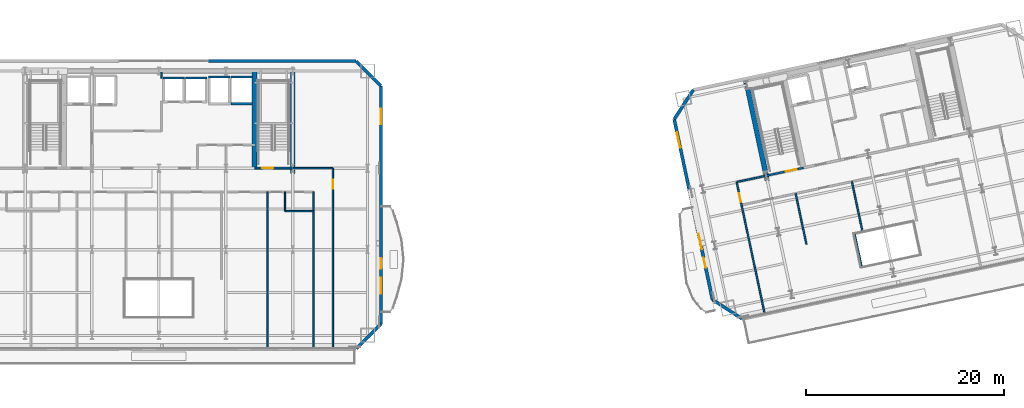
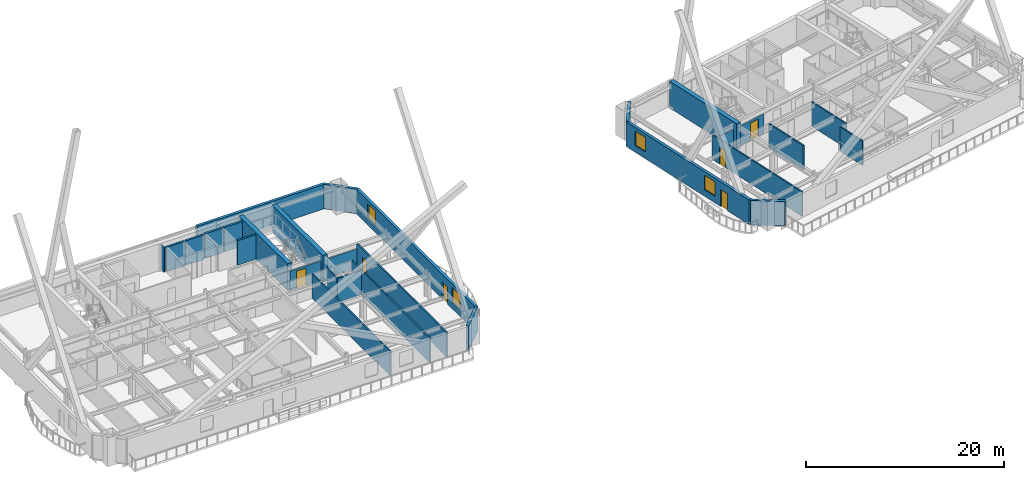
# One storey, part 13 of 22: 29 walls, 6 doors, 4 windows, 10 openings.
"""IFC4 building model written with IfcOpenShell, lengths in metres."""

import ifcopenshell
import ifcopenshell.guid

model = None  # the IFC model being written
_history = None  # IfcOwnerHistory: only IFC2X3 demands one
_inside = {}  # id of a spatial element -> (the spatial element, [elements in it])
_under = {}  # id of a project, library or spatial element -> (it, [spatial elements below it])
_declared = {}  # id of a project -> (the project, [libraries it declares])
_typed = {}  # id of a type object -> (the type object, [elements of that type])
_made_of = {}  # id of a material, layer set ... -> (it, [elements and type objects made of it])


def new_model(schema):
    """Start an empty IFC model of exactly this schema.

    Asked for "IFC4X3", IfcOpenShell would pick the latest addendum, in which some entities
    have other attributes; the version numbers below select the first issue.
    IFC2X3 requires an IfcOwnerHistory on every rooted entity: one is made here for all.
    """
    global model, _history
    if schema == "IFC4X3":
        model = ifcopenshell.file(schema_version=(4, 3, 0, 0))
    else:
        model = ifcopenshell.file(schema=schema)
    _inside.clear()
    _under.clear()
    _declared.clear()
    _typed.clear()
    _made_of.clear()
    _history = None
    if model.schema == "IFC2X3":
        org = make("IfcOrganization", Name="unknown")
        user = make(
            "IfcPersonAndOrganization",
            ThePerson=make("IfcPerson", FamilyName="unknown"),
            TheOrganization=org,
        )
        app = make(
            "IfcApplication",
            ApplicationDeveloper=org,
            Version="unknown",
            ApplicationFullName="unknown",
            ApplicationIdentifier="unknown",
        )
        _history = make(
            "IfcOwnerHistory",
            OwningUser=user,
            OwningApplication=app,
            ChangeAction="ADDED",
            CreationDate=0,
        )
    return model


def make(cls, **values):
    """One entity of the class cls with the attributes given. An attribute that is None is left unset."""
    return model.create_entity(
        cls, **{name: value for name, value in values.items() if value is not None}
    )


def rooted(cls, **values):
    """An entity with a GlobalId (a new one), such as an element, a storey or a relation."""
    return make(cls, GlobalId=ifcopenshell.guid.new(), OwnerHistory=_history, **values)


def si_unit(unit_type, name, prefix=None):
    """IfcSIUnit, for example si_unit("LENGTHUNIT", "METRE", prefix="MILLI")."""
    return make("IfcSIUnit", UnitType=unit_type, Prefix=prefix, Name=name)


def assignment(units):
    """IfcUnitAssignment: the units of a project."""
    return None if units is None else make("IfcUnitAssignment", Units=units)


def point(xyz):
    """IfcCartesianPoint."""
    return None if xyz is None else make("IfcCartesianPoint", Coordinates=xyz)


def direction(xyz):
    """IfcDirection."""
    return None if xyz is None else make("IfcDirection", DirectionRatios=xyz)


def frame(location, z_axis=None, x_axis=None):
    """IfcAxis2Placement3D, a coordinate frame: its origin and axes. An axis left out is left unset."""
    return make(
        "IfcAxis2Placement3D",
        Location=point(location),
        Axis=direction(z_axis),
        RefDirection=direction(x_axis),
    )


def frame_2d(location, x_axis=None):
    """IfcAxis2Placement2D, a coordinate frame in the plane: its origin and x axis."""
    return make(
        "IfcAxis2Placement2D", Location=point(location), RefDirection=direction(x_axis)
    )


def origin():
    """The frame at (0, 0, 0) with its axes left unset."""
    return frame((0.0, 0.0, 0.0))


def place(relative_to, where):
    """IfcLocalPlacement: puts the frame where relative to a parent placement (None: the world)."""
    return make(
        "IfcLocalPlacement", PlacementRelTo=relative_to, RelativePlacement=where
    )


def context(
    kind, dimensions, precision=None, world=None, true_north=None, identifier=None
):
    """IfcGeometricRepresentationContext, for example the 3D "Model" context."""
    return make(
        "IfcGeometricRepresentationContext",
        ContextIdentifier=identifier,
        ContextType=kind,
        CoordinateSpaceDimension=dimensions,
        Precision=precision,
        WorldCoordinateSystem=world,
        TrueNorth=true_north,
    )


def subcontext(parent, identifier, kind, view, scale=None):
    """IfcGeometricRepresentationSubContext, for example "Body" below "Model"."""
    return make(
        "IfcGeometricRepresentationSubContext",
        ContextIdentifier=identifier,
        ContextType=kind,
        ParentContext=parent,
        TargetScale=scale,
        TargetView=view,
    )


def project(units=None, contexts=None):
    """IfcProject with its units and contexts."""
    return rooted(
        "IfcProject",
        Name="project",
        RepresentationContexts=contexts,
        UnitsInContext=assignment(units),
    )


def spatial(cls, under=None, at=None, **own):
    """A site, building, storey or space (cls), placed at a placement, below another one or the project."""
    s = rooted(cls, ObjectPlacement=at, **own)
    if under is not None:
        _under.setdefault(under.id(), (under, []))[1].append(s)
    return s


def profile(cls, at=None, kind="AREA", **sizes):
    """A parametric profile (cls). Its sizes go by their IFC names, for example OverallWidth=200.0."""
    return make(cls, ProfileType=kind, Position=at, **sizes)


def rectangle(**sizes):
    """IfcRectangleProfileDef."""
    return profile("IfcRectangleProfileDef", **sizes)


def extrude(swept, where, along, depth):
    """IfcExtrudedAreaSolid: the profile swept, set in the frame where, extruded along a direction by depth."""
    return make(
        "IfcExtrudedAreaSolid",
        SweptArea=swept,
        Position=where,
        ExtrudedDirection=direction(along),
        Depth=depth,
    )


def shape(context_of_items, identifier, shape_type, items):
    """IfcShapeRepresentation: the items that make up one representation, for example the "Body"."""
    return make(
        "IfcShapeRepresentation",
        ContextOfItems=context_of_items,
        RepresentationIdentifier=identifier,
        RepresentationType=shape_type,
        Items=items,
    )


def material(Name=None, Category=None):
    """IfcMaterial."""
    return make("IfcMaterial", Name=Name, Category=Category)


def layer(
    of_material, thickness, ventilated=None, Name=None, Category=None, Priority=None
):
    """IfcMaterialLayer: one layer of a wall or slab, of a material (None: an air gap)."""
    return make(
        "IfcMaterialLayer",
        Material=of_material,
        LayerThickness=thickness,
        IsVentilated=ventilated,
        Name=Name,
        Category=Category,
        Priority=Priority,
    )


def layer_set(layers, Name=None):
    """IfcMaterialLayerSet."""
    return make("IfcMaterialLayerSet", MaterialLayers=layers, LayerSetName=Name)


def made_of(thing, what):
    """Note that an element or type object is made of a material, layer set ...; save() writes the relation."""
    if what is not None:
        _made_of.setdefault(what.id(), (what, []))[1].append(thing)
    return thing


def type_object(cls, material=None, **own):
    """A type object (cls), such as IfcWallType, which elements share."""
    return made_of(rooted(cls, **own), material)


def element(
    cls,
    number,
    at=None,
    inside=None,
    cuts=None,
    type_object=None,
    material=None,
    context=None,
    identifier="Body",
    shape_type=None,
    held_by="IfcProductDefinitionShape",
    body=None,
    shapes=None,
    **own,
):
    """One element of the class cls, such as IfcWall. Its Tag is "e" and its number.

    at: its placement. inside: the storey or other place that contains it. cuts: it is an
    opening in that element (IfcRelVoidsElement). A single representation is given by context,
    identifier, shape_type and body (its items); several are given by shapes. held_by: the class
    of the entity that holds the representations. save() writes the other relations.
    """
    e = rooted(cls, Tag="e%d" % number, ObjectPlacement=at, **own)
    if body is not None:
        shapes = [shape(context, identifier, shape_type, body)]
    if shapes is not None:
        e.Representation = make(held_by, Representations=shapes)
    if inside is not None:
        _inside.setdefault(inside.id(), (inside, []))[1].append(e)
    if cuts is not None:
        rooted(
            "IfcRelVoidsElement", RelatingBuildingElement=cuts, RelatedOpeningElement=e
        )
    if type_object is not None:
        _typed.setdefault(type_object.id(), (type_object, []))[1].append(e)
    return made_of(e, material)


def fill(opening, filler):
    """IfcRelFillsElement: the door or window that sits in an opening."""
    return rooted(
        "IfcRelFillsElement",
        RelatingOpeningElement=opening,
        RelatedBuildingElement=filler,
    )


def aggregate(whole, parts):
    """IfcRelAggregates: a whole, such as a stair, and the parts it consists of."""
    return rooted("IfcRelAggregates", RelatingObject=whole, RelatedObjects=parts)


def save(model, path):
    """Write the relations noted so far, then the file.

    IfcRelAggregates (storeys below a building ...), IfcRelContainedInSpatialStructure (elements
    in a storey), IfcRelDefinesByType, IfcRelAssociatesMaterial and IfcRelDeclares: one each for
    every whole, place, type object, material and project.
    """
    for whole, parts in _under.values():
        aggregate(whole, parts)
    for where, things in _inside.values():
        rooted(
            "IfcRelContainedInSpatialStructure",
            RelatedElements=things,
            RelatingStructure=where,
        )
    for kind, things in _typed.values():
        rooted("IfcRelDefinesByType", RelatedObjects=things, RelatingType=kind)
    for what, things in _made_of.values():
        rooted("IfcRelAssociatesMaterial", RelatedObjects=things, RelatingMaterial=what)
    for by, libraries in _declared.values():
        rooted("IfcRelDeclares", RelatingContext=by, RelatedDefinitions=libraries)
    model.write(path)


model = new_model("IFC4")

# Units and contexts
model_context = context("Model", 3, precision=1e-05, world=origin(), true_north=direction((0.0, 1.0)))
body_context = subcontext(model_context, "Body", "Model", "MODEL_VIEW")
ifc_project = project(units=[si_unit("LENGTHUNIT", "METRE"), si_unit("AREAUNIT", "SQUARE_METRE"), si_unit("VOLUMEUNIT", "CUBIC_METRE"), si_unit("PLANEANGLEUNIT", "RADIAN"), si_unit("MASSUNIT", "GRAM", prefix="KILO")], contexts=[model_context])

# Site, building, storey
site_placement = place(None, origin())
site = spatial("IfcSite", under=ifc_project, at=site_placement, CompositionType="ELEMENT")
building_placement = place(site_placement, origin())
building = spatial("IfcBuilding", under=site, at=building_placement, Name="Haevon Station Towers", CompositionType="ELEMENT")
storey_placement = place(building_placement, frame((0.0, 0.0, 113.10009765625)))
storey = spatial("IfcBuildingStorey", under=building, at=storey_placement, Name="L30", CompositionType="ELEMENT", Elevation=113.10009765625)

# Wall, opening, door
ifc_material_1 = material(Name="Gypsum board on steel stud", Category="steel")
ifc_layer_1 = layer(ifc_material_1, 0.199951171875)
ifc_layer_set_1 = layer_set([ifc_layer_1], Name="Gypsum board on steel stud")
wall_type_1 = type_object("IfcWallType", Name="WL-COR200", PredefinedType="PARTITIONING", material=ifc_layer_set_1)
wall_1_placement = place(storey_placement, frame((47.14990234375, 38.199951171875, 0.0), z_axis=(0.0, 0.0, 1.0), x_axis=(1.0, 0.0, 0.0)))
wall_1 = element("IfcWall", 1, at=wall_1_placement, inside=storey, type_object=wall_type_1, Name="WL-ST-ST2-L30", PredefinedType="PARTITIONING", context=body_context, shape_type="SweptSolid", body=[
    extrude(rectangle(XDim=3.85009765625, YDim=0.199951171875, at=frame_2d((1.925048828125, 0.0))), origin(), (0.0, 0.0, 1.0), 2.3798828125),
])
opening_1_placement = place(wall_1_placement, frame((0.75, 0.0, 0.0)))
opening_1 = element("IfcOpeningElement", 2, at=opening_1_placement, cuts=wall_1, Name="Opening DR-ST-ST2-L30", PredefinedType="OPENING", context=body_context, shape_type="SweptSolid", body=[
    extrude(rectangle(XDim=1.1201171875, YDim=2.10009765625, at=frame_2d((0.56005859375, 1.050048828125))), frame((0.0, 0.10986328125, 0.0), z_axis=(0.0, -1.0, 0.0), x_axis=(1.0, 0.0, 0.0)), (0.0, 0.0, 1.0), 0.219970703125),
])
ifc_material_2 = material(Name="Engineered oak timber", Category="wood")
door_type_1 = type_object("IfcDoorType", Name="DR-ST-1120", OperationType="NOTDEFINED", PredefinedType="DOOR", material=ifc_material_2)
door_1_placement = place(opening_1_placement, origin())
door_1 = element("IfcDoor", 3, at=door_1_placement, inside=storey, type_object=door_type_1, Name="L30 Escape Stair ST2 Fire Door", OperationType="SINGLE_SWING_LEFT", OverallHeight=2.10009765625, OverallWidth=1.1201171875, PredefinedType="DOOR", context=body_context, shape_type="SweptSolid", body=[
    extrude(rectangle(XDim=1.1201171875, YDim=2.10009765625, at=frame_2d((0.56005859375, 1.050048828125))), frame((0.0, 0.02490234375, 0.0), z_axis=(0.0, -1.0, 0.0), x_axis=(1.0, 0.0, 0.0)), (0.0, 0.0, 1.0), 0.050048828125),
])
fill(opening_1, door_1)

wall_2_placement = place(storey_placement, frame((98.75244140625, 37.4423828125, 0.0), z_axis=(0.0, 0.0, 1.0), x_axis=(0.978143537786, 0.207930804564, 0.0)))
wall_2 = element("IfcWall", 4, at=wall_2_placement, inside=storey, type_object=wall_type_1, Name="WL-ST-ST3-L30", PredefinedType="PARTITIONING", context=body_context, shape_type="SweptSolid", body=[
    extrude(rectangle(XDim=3.85009765625, YDim=0.199951171875, at=frame_2d((1.925048828125, 0.0))), origin(), (0.0, 0.0, 1.0), 2.3798828125),
])
opening_2_placement = place(wall_2_placement, frame((2.0, 0.0, 0.0)))
opening_2 = element("IfcOpeningElement", 5, at=opening_2_placement, cuts=wall_2, Name="Opening DR-ST-ST3-L30", PredefinedType="OPENING", context=body_context, shape_type="SweptSolid", body=[
    extrude(rectangle(XDim=1.1201171875, YDim=2.10009765625, at=frame_2d((0.56005859375, 1.050048828125))), frame((0.0, 0.10986328125, 0.0), z_axis=(0.0, -1.0, 0.0), x_axis=(1.0, 0.0, 0.0)), (0.0, 0.0, 1.0), 0.219970703125),
])
door_2_placement = place(opening_2_placement, origin())
door_2 = element("IfcDoor", 6, at=door_2_placement, inside=storey, type_object=door_type_1, Name="L30 Escape Stair ST3 Fire Door", OperationType="SINGLE_SWING_RIGHT", OverallHeight=2.10009765625, OverallWidth=1.1201171875, PredefinedType="DOOR", context=body_context, shape_type="SweptSolid", body=[
    extrude(rectangle(XDim=1.1201171875, YDim=2.10009765625, at=frame_2d((0.56005859375, 1.050048828125))), frame((0.0, 0.02490234375, 0.0), z_axis=(0.0, -1.0, 0.0), x_axis=(1.0, 0.0, 0.0)), (0.0, 0.0, 1.0), 0.050048828125),
])
fill(opening_2, door_2)

# Walls
ifc_material_3 = material(Name="Concrete C60/75", Category="concrete")
ifc_layer_2 = layer(ifc_material_3, 0.5)
ifc_layer_set_2 = layer_set([ifc_layer_2], Name="Concrete C60/75")
wall_type_2 = type_object("IfcWallType", Name="WL-CR500", PredefinedType="SHEAR", material=ifc_layer_set_2)
wall_3_placement = place(storey_placement, frame((51.0, 37.679931640625, 0.0), z_axis=(0.0, 0.0, 1.0), x_axis=(0.0, 1.0, 0.0)))
element("IfcWall", 7, at=wall_3_placement, inside=storey, type_object=wall_type_2, Name="WL-T1CR-L30-E", PredefinedType="SHEAR", context=body_context, shape_type="SweptSolid", body=[
    extrude(rectangle(XDim=10.320068359375, YDim=0.5, at=frame_2d((5.16015625, 0.0))), origin(), (0.0, 0.0, 1.0), 3.2998046875),
])
wall_4_placement = place(storey_placement, frame((47.14990234375, 38.199951171875, 0.0), z_axis=(0.0, 0.0, 1.0), x_axis=(0.0, 1.0, 0.0)))
element("IfcWall", 8, at=wall_4_placement, inside=storey, type_object=wall_type_2, Name="WL-T1CR-L30-M2", PredefinedType="SHEAR", context=body_context, shape_type="SweptSolid", body=[
    extrude(rectangle(XDim=9.800048828125, YDim=0.5, at=frame_2d((4.89990234375, 0.0))), origin(), (0.0, 0.0, 1.0), 3.2998046875),
])
wall_5_placement = place(storey_placement, frame((98.8603515625, 36.933837890625, 0.0), z_axis=(0.0, 0.0, 1.0), x_axis=(-0.20790924889, 0.978148119778, 0.0)))
element("IfcWall", 9, at=wall_5_placement, inside=storey, type_object=wall_type_2, Name="WL-T2CR-L30-W", PredefinedType="SHEAR", context=body_context, shape_type="SweptSolid", body=[
    extrude(rectangle(XDim=10.119873046875, YDim=0.5, at=frame_2d((5.06005859375, 0.0))), origin(), (0.0, 0.0, 1.0), 3.2998046875),
])
ifc_material_4 = material(Name="Precast concrete C45/55", Category="concrete")
ifc_layer_3 = layer(ifc_material_4, 0.320068359375)
ifc_layer_set_3 = layer_set([ifc_layer_3], Name="Precast concrete C45/55")
wall_type_3 = type_object("IfcWallType", Name="WL-EXT-PIER320", PredefinedType="SOLIDWALL", material=ifc_layer_set_3)
wall_6_placement = place(storey_placement, frame((42.5, 49.0, 0.0), z_axis=(0.0, 0.0, 1.0), x_axis=(1.0, 0.0, 0.0)))
element("IfcWall", 10, at=wall_6_placement, inside=storey, type_object=wall_type_3, Name="WL-T1-L30-N2", PredefinedType="SOLIDWALL", context=body_context, shape_type="SweptSolid", body=[
    extrude(rectangle(XDim=14.89990234375, YDim=0.320068359375, at=frame_2d((7.449951171875, 0.0))), origin(), (0.0, 0.0, 1.0), 3.02978515625),
])
wall_7_placement = place(storey_placement, frame((57.39990234375, 49.0, 0.0), z_axis=(0.0, 0.0, 1.0), x_axis=(0.707106781187, -0.707106781187, 0.0)))
element("IfcWall", 11, at=wall_7_placement, inside=storey, type_object=wall_type_3, Name="WL-T1-L30-NEC", PredefinedType="SOLIDWALL", context=body_context, shape_type="SweptSolid", body=[
    extrude(rectangle(XDim=3.53564453125, YDim=0.320068359375, at=frame_2d((1.767822265625, 0.0))), origin(), (0.0, 0.0, 1.0), 3.02978515625),
])

# Wall, openings, door, windows
wall_8_placement = place(storey_placement, frame((59.89990234375, 46.5, 0.0), z_axis=(0.0, 0.0, 1.0), x_axis=(0.0, -1.0, 0.0)))
wall_8 = element("IfcWall", 12, at=wall_8_placement, inside=storey, type_object=wall_type_3, Name="WL-T1-L30-E", PredefinedType="SOLIDWALL", context=body_context, shape_type="SweptSolid", body=[
    extrude(rectangle(XDim=24.0, YDim=0.320068359375, at=frame_2d((12.0, 0.0))), origin(), (0.0, 0.0, 1.0), 3.02978515625),
])
opening_3_placement = place(wall_8_placement, frame((17.375, 0.0, 0.0)))
opening_3 = element("IfcOpeningElement", 13, at=opening_3_placement, cuts=wall_8, Name="Opening DR-T1-SCAL-L30-E", PredefinedType="OPENING", context=body_context, shape_type="SweptSolid", body=[
    extrude(rectangle(XDim=1.050048828125, YDim=2.10009765625, at=frame_2d((0.52490234375, 1.050048828125))), frame((0.0, 0.169921875, 0.0), z_axis=(0.0, -1.0, 0.0), x_axis=(1.0, 0.0, 0.0)), (0.0, 0.0, 1.0), 0.340087890625),
])
opening_4_placement = place(wall_8_placement, frame((2.28564453125, 0.0, 0.800048828125)))
opening_4 = element("IfcOpeningElement", 14, at=opening_4_placement, cuts=wall_8, Name="Opening WN-END160", PredefinedType="OPENING", context=body_context, shape_type="SweptSolid", body=[
    extrude(rectangle(XDim=1.60009765625, YDim=1.800048828125, at=frame_2d((0.800048828125, 0.89990234375))), frame((0.0, 0.169921875, 0.0), z_axis=(0.0, -1.0, 0.0), x_axis=(1.0, 0.0, 0.0)), (0.0, 0.0, 1.0), 0.340087890625),
])
opening_5_placement = place(wall_8_placement, frame((19.371337890625, 0.0, 0.800048828125)))
opening_5 = element("IfcOpeningElement", 15, at=opening_5_placement, cuts=wall_8, Name="Opening WN-END160", PredefinedType="OPENING", context=body_context, shape_type="SweptSolid", body=[
    extrude(rectangle(XDim=1.60009765625, YDim=1.800048828125, at=frame_2d((0.800048828125, 0.89990234375))), frame((0.0, 0.169921875, 0.0), z_axis=(0.0, -1.0, 0.0), x_axis=(1.0, 0.0, 0.0)), (0.0, 0.0, 1.0), 0.340087890625),
])
ifc_material_5 = material(Name="Thermally broken anodised aluminium and laminated safety glass", Category="aluminium")
door_type_2 = type_object("IfcDoorType", Name="DR-BALC-1050", OperationType="NOTDEFINED", PredefinedType="DOOR", material=ifc_material_5)
door_3_placement = place(opening_3_placement, origin())
door_3 = element("IfcDoor", 16, at=door_3_placement, inside=storey, type_object=door_type_2, Name="Tower 1 L30 East Scalloped Balcony Door", OperationType="SINGLE_SWING_RIGHT", OverallHeight=2.10009765625, OverallWidth=1.050048828125, PredefinedType="DOOR", context=body_context, shape_type="SweptSolid", body=[
    extrude(rectangle(XDim=1.050048828125, YDim=2.10009765625, at=frame_2d((0.52490234375, 1.050048828125))), frame((0.0, 0.02490234375, 0.0), z_axis=(0.0, -1.0, 0.0), x_axis=(1.0, 0.0, 0.0)), (0.0, 0.0, 1.0), 0.050048828125),
])
fill(opening_3, door_3)
ifc_material_6 = material(Name="Low-E triple glazing in thermally broken aluminium", Category="aluminium")
window_type = type_object("IfcWindowType", Name="WN-END160", PartitioningType="SINGLE_PANEL", PredefinedType="WINDOW", material=ifc_material_6)
window_1_placement = place(opening_4_placement, origin())
window_1 = element("IfcWindow", 17, at=window_1_placement, inside=storey, type_object=window_type, Name="WN-T1-L30-E01", OverallHeight=1.800048828125, OverallWidth=1.60009765625, PartitioningType="SINGLE_PANEL", PredefinedType="WINDOW", context=body_context, shape_type="SweptSolid", body=[
    extrude(rectangle(XDim=1.60009765625, YDim=1.800048828125, at=frame_2d((0.800048828125, 0.89990234375))), frame((0.0, 0.030029296875, 0.0), z_axis=(0.0, -1.0, 0.0), x_axis=(1.0, 0.0, 0.0)), (0.0, 0.0, 1.0), 0.06005859375),
])
fill(opening_4, window_1)
window_2_placement = place(opening_5_placement, origin())
window_2 = element("IfcWindow", 18, at=window_2_placement, inside=storey, type_object=window_type, Name="WN-T1-L30-E02", OverallHeight=1.800048828125, OverallWidth=1.60009765625, PartitioningType="SINGLE_PANEL", PredefinedType="WINDOW", context=body_context, shape_type="SweptSolid", body=[
    extrude(rectangle(XDim=1.60009765625, YDim=1.800048828125, at=frame_2d((0.800048828125, 0.89990234375))), frame((0.0, 0.030029296875, 0.0), z_axis=(0.0, -1.0, 0.0), x_axis=(1.0, 0.0, 0.0)), (0.0, 0.0, 1.0), 0.06005859375),
])
fill(opening_5, window_2)

# Walls
wall_9_placement = place(storey_placement, frame((59.89990234375, 22.5, 0.0), z_axis=(0.0, 0.0, 1.0), x_axis=(-0.707106781187, -0.707106781187, 0.0)))
element("IfcWall", 19, at=wall_9_placement, inside=storey, type_object=wall_type_3, Name="WL-T1-L30-SEC", PredefinedType="SOLIDWALL", context=body_context, shape_type="SweptSolid", body=[
    extrude(rectangle(XDim=3.53564453125, YDim=0.320068359375, at=frame_2d((1.767822265625, 0.0))), origin(), (0.0, 0.0, 1.0), 3.02978515625),
])
wall_10_placement = place(storey_placement, frame((96.2978515625, 23.016845703125, 0.0), z_axis=(0.0, 0.0, 1.0), x_axis=(-0.838672309694, 0.544636352948, 0.0)))
element("IfcWall", 20, at=wall_10_placement, inside=storey, type_object=wall_type_3, Name="WL-T2-L30-SWC", PredefinedType="SOLIDWALL", context=body_context, shape_type="SweptSolid", body=[
    extrude(rectangle(XDim=3.535400390625, YDim=0.320068359375, at=frame_2d((1.767578125, 0.0))), origin(), (0.0, 0.0, 1.0), 3.02978515625),
])

# Wall, openings, door, windows
wall_11_placement = place(storey_placement, frame((93.332763671875, 24.9423828125, 0.0), z_axis=(0.0, 0.0, 1.0), x_axis=(-0.207912600897, 0.97814740729, 0.0)))
wall_11 = element("IfcWall", 21, at=wall_11_placement, inside=storey, type_object=wall_type_3, Name="WL-T2-L30-W", PredefinedType="SOLIDWALL", context=body_context, shape_type="SweptSolid", body=[
    extrude(rectangle(XDim=18.60009765625, YDim=0.320068359375, at=frame_2d((9.300048828125, 0.0))), origin(), (0.0, 0.0, 1.0), 3.02978515625),
])
opening_6_placement = place(wall_11_placement, frame((3.27490234375, 0.0, 0.0)))
opening_6 = element("IfcOpeningElement", 22, at=opening_6_placement, cuts=wall_11, Name="Opening DR-T2-SCAL-L30-W", PredefinedType="OPENING", context=body_context, shape_type="SweptSolid", body=[
    extrude(rectangle(XDim=1.050048828125, YDim=2.10009765625, at=frame_2d((0.52490234375, 1.050048828125))), frame((0.0, 0.169921875, 0.0), z_axis=(0.0, -1.0, 0.0), x_axis=(1.0, 0.0, 0.0)), (0.0, 0.0, 1.0), 0.340087890625),
])
opening_7_placement = place(wall_11_placement, frame((5.199951171875, 0.0, 0.800048828125)))
opening_7 = element("IfcOpeningElement", 23, at=opening_7_placement, cuts=wall_11, Name="Opening WN-END160", PredefinedType="OPENING", context=body_context, shape_type="SweptSolid", body=[
    extrude(rectangle(XDim=1.60009765625, YDim=1.800048828125, at=frame_2d((0.800048828125, 0.89990234375))), frame((0.0, 0.169921875, 0.0), z_axis=(0.0, -1.0, 0.0), x_axis=(1.0, 0.0, 0.0)), (0.0, 0.0, 1.0), 0.340087890625),
])
opening_8_placement = place(wall_11_placement, frame((15.64990234375, 0.0, 0.800048828125)))
opening_8 = element("IfcOpeningElement", 24, at=opening_8_placement, cuts=wall_11, Name="Opening WN-END160", PredefinedType="OPENING", context=body_context, shape_type="SweptSolid", body=[
    extrude(rectangle(XDim=1.60009765625, YDim=1.800048828125, at=frame_2d((0.800048828125, 0.89990234375))), frame((0.0, 0.169921875, 0.0), z_axis=(0.0, -1.0, 0.0), x_axis=(1.0, 0.0, 0.0)), (0.0, 0.0, 1.0), 0.340087890625),
])
door_4_placement = place(opening_6_placement, origin())
door_4 = element("IfcDoor", 25, at=door_4_placement, inside=storey, type_object=door_type_2, Name="Tower 2 L30 West Scalloped Balcony Door", OperationType="SINGLE_SWING_LEFT", OverallHeight=2.10009765625, OverallWidth=1.050048828125, PredefinedType="DOOR", context=body_context, shape_type="SweptSolid", body=[
    extrude(rectangle(XDim=1.050048828125, YDim=2.10009765625, at=frame_2d((0.52490234375, 1.050048828125))), frame((0.0, 0.02490234375, 0.0), z_axis=(0.0, -1.0, 0.0), x_axis=(1.0, 0.0, 0.0)), (0.0, 0.0, 1.0), 0.050048828125),
])
fill(opening_6, door_4)
window_3_placement = place(opening_7_placement, origin())
window_3 = element("IfcWindow", 26, at=window_3_placement, inside=storey, type_object=window_type, Name="WN-T2-L30-W01", OverallHeight=1.800048828125, OverallWidth=1.60009765625, PartitioningType="SINGLE_PANEL", PredefinedType="WINDOW", context=body_context, shape_type="SweptSolid", body=[
    extrude(rectangle(XDim=1.60009765625, YDim=1.800048828125, at=frame_2d((0.800048828125, 0.89990234375))), frame((0.0, 0.030029296875, 0.0), z_axis=(0.0, -1.0, 0.0), x_axis=(1.0, 0.0, 0.0)), (0.0, 0.0, 1.0), 0.06005859375),
])
fill(opening_7, window_3)
window_4_placement = place(opening_8_placement, origin())
window_4 = element("IfcWindow", 27, at=window_4_placement, inside=storey, type_object=window_type, Name="WN-T2-L30-W02", OverallHeight=1.800048828125, OverallWidth=1.60009765625, PartitioningType="SINGLE_PANEL", PredefinedType="WINDOW", context=body_context, shape_type="SweptSolid", body=[
    extrude(rectangle(XDim=1.60009765625, YDim=1.800048828125, at=frame_2d((0.800048828125, 0.89990234375))), frame((0.0, 0.030029296875, 0.0), z_axis=(0.0, -1.0, 0.0), x_axis=(1.0, 0.0, 0.0)), (0.0, 0.0, 1.0), 0.06005859375),
])
fill(opening_8, window_4)

# Walls
wall_12_placement = place(storey_placement, frame((89.465576171875, 43.135986328125, 0.0), z_axis=(0.0, 0.0, 1.0), x_axis=(0.544684921471, 0.838640767148, 0.0)))
element("IfcWall", 28, at=wall_12_placement, inside=storey, type_object=wall_type_3, Name="WL-T2-L30-NWC", PredefinedType="SOLIDWALL", context=body_context, shape_type="SweptSolid", body=[
    extrude(rectangle(XDim=3.53564453125, YDim=0.320068359375, at=frame_2d((1.767822265625, 0.0))), origin(), (0.0, 0.0, 1.0), 3.02978515625),
])
ifc_layer_4 = layer(ifc_material_1, 0.125)
ifc_layer_set_4 = layer_set([ifc_layer_4], Name="Gypsum board on steel stud")
wall_type_4 = type_object("IfcWallType", Name="WL-PRT125", PredefinedType="PARTITIONING", material=ifc_layer_set_4)
wall_13_placement = place(storey_placement, frame((50.2216796875, 33.8701171875, 0.0), z_axis=(0.0, 0.0, 1.0), x_axis=(0.0, 1.0, 0.0)))
element("IfcWall", 29, at=wall_13_placement, inside=storey, type_object=wall_type_4, Name="WL-T1PT-L30-23", PredefinedType="PARTITIONING", context=body_context, shape_type="SweptSolid", body=[
    extrude(rectangle(XDim=1.949951171875, YDim=0.125, at=frame_2d((0.97509765625, 0.0))), origin(), (0.0, 0.0, 1.0), 3.02978515625),
])
ifc_layer_5 = layer(ifc_material_1, 0.139892578125)
ifc_layer_set_5 = layer_set([ifc_layer_5], Name="Gypsum board on steel stud")
wall_type_5 = type_object("IfcWallType", Name="WL-PRT140", PredefinedType="PARTITIONING", material=ifc_layer_set_5)
wall_14_placement = place(storey_placement, frame((50.2216796875, 33.8701171875, 0.0), z_axis=(0.0, 0.0, 1.0), x_axis=(1.0, 0.0, 0.0)))
element("IfcWall", 30, at=wall_14_placement, inside=storey, type_object=wall_type_5, Name="WL-T1PT-L30-22", PredefinedType="PARTITIONING", context=body_context, shape_type="SweptSolid", body=[
    extrude(rectangle(XDim=2.8583984375, YDim=0.139892578125, at=frame_2d((1.42919921875, 0.0))), origin(), (0.0, 0.0, 1.0), 3.02978515625),
])
ifc_layer_6 = layer(ifc_material_1, 0.159912109375)
ifc_layer_set_6 = layer_set([ifc_layer_6], Name="Gypsum board on steel stud")
wall_type_6 = type_object("IfcWallType", Name="WL-PRT160", PredefinedType="PARTITIONING", material=ifc_layer_set_6)
wall_15_placement = place(storey_placement, frame((37.75, 47.25, 0.0), z_axis=(0.0, 0.0, 1.0), x_axis=(0.0, 1.0, 0.0)))
element("IfcWall", 31, at=wall_15_placement, inside=storey, type_object=wall_type_6, Name="WL-T1CW-L30-03", PredefinedType="PARTITIONING", context=body_context, shape_type="SweptSolid", body=[
    extrude(rectangle(XDim=0.64990234375, YDim=0.159912109375, at=frame_2d((0.324951171875, 0.0))), origin(), (0.0, 0.0, 1.0), 3.02978515625),
])
wall_16_placement = place(storey_placement, frame((53.080078125, 20.0, 0.0), z_axis=(0.0, 0.0, 1.0), x_axis=(0.0, 1.0, 0.0)))
element("IfcWall", 32, at=wall_16_placement, inside=storey, type_object=wall_type_6, Name="WL-T1PT-L30-01", PredefinedType="PARTITIONING", context=body_context, shape_type="SweptSolid", body=[
    extrude(rectangle(XDim=15.820068359375, YDim=0.159912109375, at=frame_2d((7.91015625, 0.0))), origin(), (0.0, 0.0, 1.0), 3.02978515625),
])
wall_17_placement = place(storey_placement, frame((51.0, 38.199951171875, 0.0), z_axis=(0.0, 0.0, 1.0), x_axis=(1.0, 0.0, 0.0)))
element("IfcWall", 33, at=wall_17_placement, inside=storey, type_object=wall_type_6, Name="WL-T1PT-L30-03", PredefinedType="PARTITIONING", context=body_context, shape_type="SweptSolid", body=[
    extrude(rectangle(XDim=4.050048828125, YDim=0.159912109375, at=frame_2d((2.02490234375, 0.0))), origin(), (0.0, 0.0, 1.0), 2.3798828125),
])

# Wall, opening, door
wall_18_placement = place(storey_placement, frame((55.050048828125, 20.0, 0.0), z_axis=(0.0, 0.0, 1.0), x_axis=(0.0, 1.0, 0.0)))
wall_18 = element("IfcWall", 34, at=wall_18_placement, inside=storey, type_object=wall_type_6, Name="WL-T1PT-L30-05", PredefinedType="PARTITIONING", context=body_context, shape_type="SweptSolid", body=[
    extrude(rectangle(XDim=18.199951171875, YDim=0.159912109375, at=frame_2d((9.10009765625, 0.0))), origin(), (0.0, 0.0, 1.0), 3.02978515625),
])
opening_9_placement = place(wall_18_placement, frame((16.139892578125, 0.0, 0.0)))
opening_9 = element("IfcOpeningElement", 35, at=opening_9_placement, cuts=wall_18, Name="Opening DR-WL-T1PT-L30-05-01", PredefinedType="OPENING", context=body_context, shape_type="SweptSolid", body=[
    extrude(rectangle(XDim=0.89990234375, YDim=2.050048828125, at=frame_2d((0.449951171875, 1.02490234375))), frame((0.0, 0.08984375, 0.0), z_axis=(0.0, -1.0, 0.0), x_axis=(1.0, 0.0, 0.0)), (0.0, 0.0, 1.0), 0.179931640625),
])
door_type_3 = type_object("IfcDoorType", Name="DR-INT-900", OperationType="NOTDEFINED", PredefinedType="DOOR", material=ifc_material_2)
door_5_placement = place(opening_9_placement, origin())
door_5 = element("IfcDoor", 36, at=door_5_placement, inside=storey, type_object=door_type_3, Name="L30 Tower 1 Room Door 5-1", OperationType="SINGLE_SWING_RIGHT", OverallHeight=2.050048828125, OverallWidth=0.89990234375, PredefinedType="DOOR", context=body_context, shape_type="SweptSolid", body=[
    extrude(rectangle(XDim=0.89990234375, YDim=2.050048828125, at=frame_2d((0.449951171875, 1.02490234375))), frame((0.0, 0.02490234375, 0.0), z_axis=(0.0, -1.0, 0.0), x_axis=(1.0, 0.0, 0.0)), (0.0, 0.0, 1.0), 0.050048828125),
])
fill(opening_9, door_5)

# Walls
wall_19_placement = place(storey_placement, frame((48.44189453125, 20.0, 0.0), z_axis=(0.0, 0.0, 1.0), x_axis=(0.0, 1.0, 0.0)))
element("IfcWall", 37, at=wall_19_placement, inside=storey, type_object=wall_type_6, Name="WL-T1PT-L30-21", PredefinedType="PARTITIONING", context=body_context, shape_type="SweptSolid", body=[
    extrude(rectangle(XDim=15.820068359375, YDim=0.159912109375, at=frame_2d((7.91015625, 0.0))), origin(), (0.0, 0.0, 1.0), 3.02978515625),
])
wall_20_placement = place(storey_placement, frame((95.76904296875, 36.808349609375, 0.0), z_axis=(0.0, 0.0, 1.0), x_axis=(0.978154782045, 0.207877902534, 0.0)))
element("IfcWall", 38, at=wall_20_placement, inside=storey, type_object=wall_type_6, Name="WL-T2PT-L30-02", PredefinedType="PARTITIONING", context=body_context, shape_type="SweptSolid", body=[
    extrude(rectangle(XDim=3.050048828125, YDim=0.159912109375, at=frame_2d((1.52490234375, 0.0))), origin(), (0.0, 0.0, 1.0), 2.3798828125),
])

# Wall, opening, door
wall_21_placement = place(storey_placement, frame((98.5966796875, 23.50537109375, 0.0), z_axis=(0.0, 0.0, 1.0), x_axis=(-0.207911785474, 0.978147580614, 0.0)))
wall_21 = element("IfcWall", 39, at=wall_21_placement, inside=storey, type_object=wall_type_6, Name="WL-T2PT-L30-04", PredefinedType="PARTITIONING", context=body_context, shape_type="SweptSolid", body=[
    extrude(rectangle(XDim=13.60009765625, YDim=0.159912109375, at=frame_2d((6.800048828125, 0.0))), origin(), (0.0, 0.0, 1.0), 3.02978515625),
])
opening_10_placement = place(wall_21_placement, frame((11.5400390625, 0.0, 0.0)))
opening_10 = element("IfcOpeningElement", 40, at=opening_10_placement, cuts=wall_21, Name="Opening DR-WL-T2PT-L30-04-01", PredefinedType="OPENING", context=body_context, shape_type="SweptSolid", body=[
    extrude(rectangle(XDim=0.89990234375, YDim=2.050048828125, at=frame_2d((0.449951171875, 1.02490234375))), frame((0.0, 0.08984375, 0.0), z_axis=(0.0, -1.0, 0.0), x_axis=(1.0, 0.0, 0.0)), (0.0, 0.0, 1.0), 0.179931640625),
])
door_6_placement = place(opening_10_placement, origin())
door_6 = element("IfcDoor", 41, at=door_6_placement, inside=storey, type_object=door_type_3, Name="L30 Tower 2 Room Door 4-1", OperationType="SINGLE_SWING_RIGHT", OverallHeight=2.050048828125, OverallWidth=0.89990234375, PredefinedType="DOOR", context=body_context, shape_type="SweptSolid", body=[
    extrude(rectangle(XDim=0.89990234375, YDim=2.050048828125, at=frame_2d((0.449951171875, 1.02490234375))), frame((0.0, 0.02490234375, 0.0), z_axis=(0.0, -1.0, 0.0), x_axis=(1.0, 0.0, 0.0)), (0.0, 0.0, 1.0), 0.050048828125),
])
fill(opening_10, door_6)

# Walls
wall_22_placement = place(storey_placement, frame((108.37548828125, 28.2421875, 0.0), z_axis=(0.0, 0.0, 1.0), x_axis=(-0.207881084728, 0.978154105758, 0.0)))
element("IfcWall", 42, at=wall_22_placement, inside=storey, type_object=wall_type_6, Name="WL-T2PT-L30-08", PredefinedType="PARTITIONING", context=body_context, shape_type="SweptSolid", body=[
    extrude(rectangle(XDim=3.39990234375, YDim=0.159912109375, at=frame_2d((1.699951171875, 0.0))), origin(), (0.0, 0.0, 1.0), 3.02978515625),
])
for number, where, z_axis, x_axis, name in (
    (43, (102.80224609375, 30.533447265625, 0.0), (0.0, 0.0, 1.0), (-0.20789343652, 0.978151480626, 0.0), "WL-T2PT-L30-10"),
    (44, (108.4736328125, 31.739013671875, 0.0), (0.0, 0.0, 1.0), (-0.207938184652, 0.97814196892, 0.0), "WL-T2PT-L30-11"),
):
    element("IfcWall", number, at=place(storey_placement, frame(where, z_axis=z_axis, x_axis=x_axis)), inside=storey, type_object=wall_type_6, Name=name, PredefinedType="PARTITIONING", context=body_context, shape_type="SweptSolid", body=[
        extrude(rectangle(XDim=5.219970703125, YDim=0.159912109375, at=frame_2d((2.60986328125, 0.0))), origin(), (0.0, 0.0, 1.0), 3.02978515625),
    ])
ifc_material_7 = material(Name="Concrete C40/50", Category="concrete")
ifc_layer_7 = layer(ifc_material_7, 0.239990234375)
ifc_layer_set_7 = layer_set([ifc_layer_7], Name="Concrete C40/50")
wall_type_7 = type_object("IfcWallType", Name="WL-SHF240", PredefinedType="PARTITIONING", material=ifc_layer_set_7)
for number, where, z_axis, x_axis, name in (
    (45, (37.919921875, 47.300048828125, 0.0), (0.0, 0.0, 1.0), (1.0, 0.0, 0.0), "WL-SHF-PL3-L30-N"),
    (46, (40.169921875, 47.300048828125, 0.0), (0.0, 0.0, 1.0), (1.0, 0.0, 0.0), "WL-SHF-PL4-L30-N"),
):
    element("IfcWall", number, at=place(storey_placement, frame(where, z_axis=z_axis, x_axis=x_axis)), inside=storey, type_object=wall_type_7, Name=name, PredefinedType="PARTITIONING", context=body_context, shape_type="SweptSolid", body=[
        extrude(rectangle(XDim=2.16015625, YDim=0.239990234375, at=frame_2d((1.080078125, 0.0))), origin(), (0.0, 0.0, 1.0), 3.02978515625),
    ])
for number, where, z_axis, x_axis, name in (
    (47, (42.52001953125, 47.39990234375, 0.0), (0.0, 0.0, 1.0), (1.0, 0.0, 0.0), "WL-SHF-PL5-L30-N"),
    (48, (44.77001953125, 44.699951171875, 0.0), (0.0, 0.0, 1.0), (1.0, 0.0, 0.0), "WL-SHF-PL6-L30"),
    (49, (44.77001953125, 47.39990234375, 0.0), (0.0, 0.0, 1.0), (1.0, 0.0, 0.0), "WL-SHF-PL6-L30-N"),
):
    element("IfcWall", number, at=place(storey_placement, frame(where, z_axis=z_axis, x_axis=x_axis)), inside=storey, type_object=wall_type_7, Name=name, PredefinedType="PARTITIONING", context=body_context, shape_type="SweptSolid", body=[
        extrude(rectangle(XDim=2.159912109375, YDim=0.239990234375, at=frame_2d((1.080078125, 0.0))), origin(), (0.0, 0.0, 1.0), 3.02978515625),
    ])

save(model, "model.ifc")
